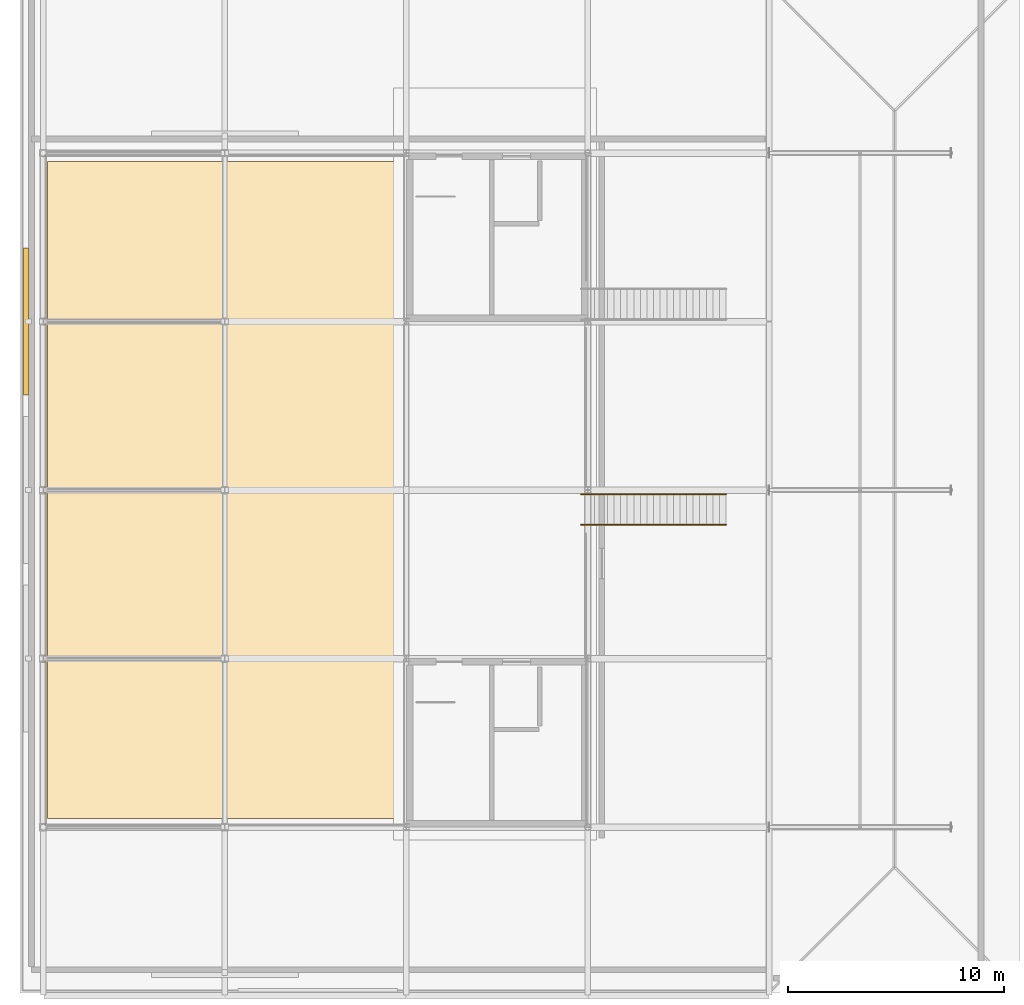
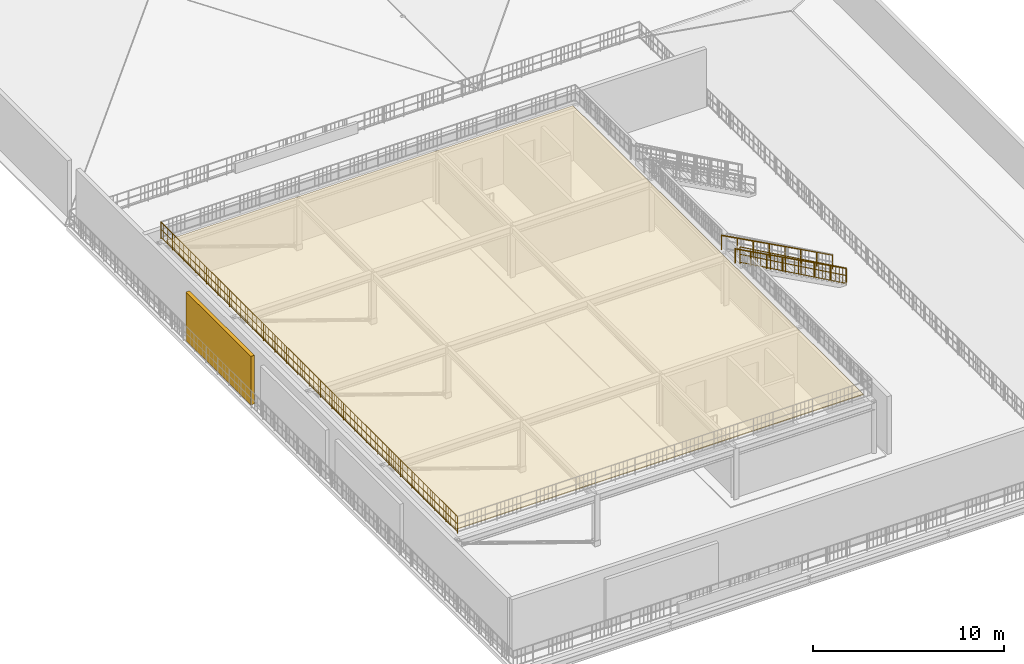
# One storey, part 12 of 16: 4 railings, 1 covering, 1 shading device.
"""IFC4 building model written with IfcOpenShell, lengths in metres."""

from ifc_helpers import new_model, si_unit, direction, frame, origin, origin_2d, place, context, subcontext, project, spatial, polyline, rectangle, circle, outline, extrude, material, layer, layer_set, type_object, element, save


model = new_model("IFC4")

# Units and contexts
model_context = context("Model", 3, precision=1e-05, world=origin(), true_north=direction((0.0, 1.0)))
body_context = subcontext(model_context, "Body", "Model", "MODEL_VIEW")
ifc_project = project(units=[si_unit("LENGTHUNIT", "METRE"), si_unit("AREAUNIT", "SQUARE_METRE"), si_unit("VOLUMEUNIT", "CUBIC_METRE"), si_unit("PLANEANGLEUNIT", "RADIAN"), si_unit("MASSUNIT", "GRAM", prefix="KILO")], contexts=[model_context])

# Site, building, storey
site_placement = place(None, origin())
site = spatial("IfcSite", under=ifc_project, at=site_placement, CompositionType="ELEMENT")
building_placement = place(site_placement, origin())
building = spatial("IfcBuilding", under=site, at=building_placement, Name="Nabrawat Pavilion Hospital", CompositionType="ELEMENT")
storey_placement = place(building_placement, frame((0.0, 0.0, 35.10009765625)))
storey = spatial("IfcBuildingStorey", under=building, at=storey_placement, Name="Roof", CompositionType="ELEMENT", Elevation=35.10009765625)

# Railing
ifc_material_1 = material(Name="Stainless Steel 316", Category="steel")
ifc_layer_1 = layer(ifc_material_1, 0.070068359375, Name="Stainless Steel 316")
ifc_layer_set_1 = layer_set([ifc_layer_1], Name="Stainless Steel 316")
railing_type_1 = type_object("IfcRailingType", Name="Exterior Clinical Terrace Safety Guardrail 1100", PredefinedType="GUARDRAIL", material=ifc_layer_set_1)
railing_1_placement = place(storey_placement, frame((151.280029296875, 46.8798828125, 3.599853515625)))
element("IfcRailing", 1, at=railing_1_placement, inside=storey, type_object=railing_type_1, Name="Rooftop Helipad Deck Safety Perimeter Guardrail West", PredefinedType="GUARDRAIL", context=body_context, shape_type="SweptSolid", body=[
    extrude(circle(Radius=0.02392578125, at=origin_2d()), frame((0.0, 0.0, 1.076171875), z_axis=(0.0, 1.0, 0.0), x_axis=(-1.0, 0.0, 0.0)), (0.0, 0.0, 1.0), 31.0400390625),
    extrude(circle(Radius=0.02392578125, at=origin_2d()), frame((0.0, 0.0, 0.10009765625), z_axis=(0.0, 1.0, 0.0), x_axis=(-1.0, 0.0, 0.0)), (0.0, 0.0, 1.0), 31.0400390625),
    extrude(circle(Radius=0.02392578125, at=origin_2d()), frame((0.0, 0.0, 0.60498046875), z_axis=(0.0, 1.0, 0.0), x_axis=(-1.0, 0.0, 0.0)), (0.0, 0.0, 1.0), 31.0400390625),
    extrude(circle(Radius=0.008056640625, at=origin_2d()), frame((0.0, 0.23876953125, 0.10009765625)), (0.0, 0.0, 1.0), 0.951904296875),
    extrude(circle(Radius=0.008056640625, at=origin_2d()), frame((0.0, 0.4775390625, 0.10009765625)), (0.0, 0.0, 1.0), 0.951904296875),
    extrude(circle(Radius=0.008056640625, at=origin_2d()), frame((0.0, 0.71630859375, 0.10009765625)), (0.0, 0.0, 1.0), 0.951904296875),
    extrude(circle(Radius=0.008056640625, at=origin_2d()), frame((0.0, 0.955078125, 0.10009765625)), (0.0, 0.0, 1.0), 0.951904296875),
    extrude(circle(Radius=0.008056640625, at=origin_2d()), frame((0.0, 1.4326171875, 0.10009765625)), (0.0, 0.0, 1.0), 0.951904296875),
    extrude(circle(Radius=0.008056640625, at=origin_2d()), frame((0.0, 1.67138671875, 0.10009765625)), (0.0, 0.0, 1.0), 0.951904296875),
    extrude(circle(Radius=0.008056640625, at=origin_2d()), frame((0.0, 1.91015625, 0.10009765625)), (0.0, 0.0, 1.0), 0.951904296875),
    extrude(circle(Radius=0.008056640625, at=origin_2d()), frame((0.0, 2.14892578125, 0.10009765625)), (0.0, 0.0, 1.0), 0.951904296875),
    extrude(circle(Radius=0.008056640625, at=origin_2d()), frame((0.0, 2.62646484375, 0.10009765625)), (0.0, 0.0, 1.0), 0.951904296875),
    extrude(circle(Radius=0.008056640625, at=origin_2d()), frame((0.0, 2.865234375, 0.10009765625)), (0.0, 0.0, 1.0), 0.951904296875),
    extrude(circle(Radius=0.008056640625, at=origin_2d()), frame((0.0, 3.10400390625, 0.10009765625)), (0.0, 0.0, 1.0), 0.951904296875),
    extrude(circle(Radius=0.008056640625, at=origin_2d()), frame((0.0, 3.3427734375, 0.10009765625)), (0.0, 0.0, 1.0), 0.951904296875),
    extrude(circle(Radius=0.008056640625, at=origin_2d()), frame((0.0, 3.8203125, 0.10009765625)), (0.0, 0.0, 1.0), 0.951904296875),
    extrude(circle(Radius=0.008056640625, at=origin_2d()), frame((0.0, 4.05908203125, 0.10009765625)), (0.0, 0.0, 1.0), 0.951904296875),
    extrude(circle(Radius=0.008056640625, at=origin_2d()), frame((0.0, 4.2978515625, 0.10009765625)), (0.0, 0.0, 1.0), 0.951904296875),
    extrude(circle(Radius=0.008056640625, at=origin_2d()), frame((0.0, 4.53662109375, 0.10009765625)), (0.0, 0.0, 1.0), 0.951904296875),
    extrude(circle(Radius=0.008056640625, at=origin_2d()), frame((0.0, 5.01416015625, 0.10009765625)), (0.0, 0.0, 1.0), 0.951904296875),
    extrude(circle(Radius=0.008056640625, at=origin_2d()), frame((0.0, 5.2529296875, 0.10009765625)), (0.0, 0.0, 1.0), 0.951904296875),
    extrude(circle(Radius=0.008056640625, at=origin_2d()), frame((0.0, 5.49169921875, 0.10009765625)), (0.0, 0.0, 1.0), 0.951904296875),
    extrude(circle(Radius=0.008056640625, at=origin_2d()), frame((0.0, 5.73046875, 0.10009765625)), (0.0, 0.0, 1.0), 0.951904296875),
    extrude(circle(Radius=0.008056640625, at=origin_2d()), frame((0.0, 6.2080078125, 0.10009765625)), (0.0, 0.0, 1.0), 0.951904296875),
    extrude(circle(Radius=0.008056640625, at=origin_2d()), frame((0.0, 6.44677734375, 0.10009765625)), (0.0, 0.0, 1.0), 0.951904296875),
    extrude(circle(Radius=0.008056640625, at=origin_2d()), frame((0.0, 6.685546875, 0.10009765625)), (0.0, 0.0, 1.0), 0.951904296875),
    extrude(circle(Radius=0.008056640625, at=origin_2d()), frame((0.0, 6.92431640625, 0.10009765625)), (0.0, 0.0, 1.0), 0.951904296875),
    extrude(circle(Radius=0.008056640625, at=origin_2d()), frame((0.0, 7.40185546875, 0.10009765625)), (0.0, 0.0, 1.0), 0.951904296875),
    extrude(circle(Radius=0.008056640625, at=origin_2d()), frame((0.0, 7.640625, 0.10009765625)), (0.0, 0.0, 1.0), 0.951904296875),
    extrude(circle(Radius=0.008056640625, at=origin_2d()), frame((0.0, 7.87939453125, 0.10009765625)), (0.0, 0.0, 1.0), 0.951904296875),
    extrude(circle(Radius=0.008056640625, at=origin_2d()), frame((0.0, 8.1181640625, 0.10009765625)), (0.0, 0.0, 1.0), 0.951904296875),
    extrude(circle(Radius=0.008056640625, at=origin_2d()), frame((0.0, 8.595703125, 0.10009765625)), (0.0, 0.0, 1.0), 0.951904296875),
    extrude(circle(Radius=0.008056640625, at=origin_2d()), frame((0.0, 8.83447265625, 0.10009765625)), (0.0, 0.0, 1.0), 0.951904296875),
    extrude(circle(Radius=0.008056640625, at=origin_2d()), frame((0.0, 9.0732421875, 0.10009765625)), (0.0, 0.0, 1.0), 0.951904296875),
    extrude(circle(Radius=0.008056640625, at=origin_2d()), frame((0.0, 9.31201171875, 0.10009765625)), (0.0, 0.0, 1.0), 0.951904296875),
    extrude(circle(Radius=0.008056640625, at=origin_2d()), frame((0.0, 9.78955078125, 0.10009765625)), (0.0, 0.0, 1.0), 0.951904296875),
    extrude(circle(Radius=0.008056640625, at=origin_2d()), frame((0.0, 10.0283203125, 0.10009765625)), (0.0, 0.0, 1.0), 0.951904296875),
    extrude(circle(Radius=0.008056640625, at=origin_2d()), frame((0.0, 10.26708984375, 0.10009765625)), (0.0, 0.0, 1.0), 0.951904296875),
    extrude(circle(Radius=0.008056640625, at=origin_2d()), frame((0.0, 10.505859375, 0.10009765625)), (0.0, 0.0, 1.0), 0.951904296875),
    extrude(circle(Radius=0.008056640625, at=origin_2d()), frame((0.0, 10.9833984375, 0.10009765625)), (0.0, 0.0, 1.0), 0.951904296875),
    extrude(circle(Radius=0.008056640625, at=origin_2d()), frame((0.0, 11.22216796875, 0.10009765625)), (0.0, 0.0, 1.0), 0.951904296875),
    extrude(circle(Radius=0.008056640625, at=origin_2d()), frame((0.0, 11.4609375, 0.10009765625)), (0.0, 0.0, 1.0), 0.951904296875),
    extrude(circle(Radius=0.008056640625, at=origin_2d()), frame((0.0, 11.69970703125, 0.10009765625)), (0.0, 0.0, 1.0), 0.951904296875),
    extrude(circle(Radius=0.008056640625, at=origin_2d()), frame((0.0, 12.17724609375, 0.10009765625)), (0.0, 0.0, 1.0), 0.951904296875),
    extrude(circle(Radius=0.008056640625, at=origin_2d()), frame((0.0, 12.416015625, 0.10009765625)), (0.0, 0.0, 1.0), 0.951904296875),
    extrude(circle(Radius=0.008056640625, at=origin_2d()), frame((0.0, 12.65478515625, 0.10009765625)), (0.0, 0.0, 1.0), 0.951904296875),
    extrude(circle(Radius=0.008056640625, at=origin_2d()), frame((0.0, 12.8935546875, 0.10009765625)), (0.0, 0.0, 1.0), 0.951904296875),
    extrude(circle(Radius=0.008056640625, at=origin_2d()), frame((0.0, 13.37109375, 0.10009765625)), (0.0, 0.0, 1.0), 0.951904296875),
    extrude(circle(Radius=0.008056640625, at=origin_2d()), frame((0.0, 13.60986328125, 0.10009765625)), (0.0, 0.0, 1.0), 0.951904296875),
    extrude(circle(Radius=0.008056640625, at=origin_2d()), frame((0.0, 13.8486328125, 0.10009765625)), (0.0, 0.0, 1.0), 0.951904296875),
    extrude(circle(Radius=0.008056640625, at=origin_2d()), frame((0.0, 14.08740234375, 0.10009765625)), (0.0, 0.0, 1.0), 0.951904296875),
    extrude(circle(Radius=0.008056640625, at=origin_2d()), frame((0.0, 14.56494140625, 0.10009765625)), (0.0, 0.0, 1.0), 0.951904296875),
    extrude(circle(Radius=0.008056640625, at=origin_2d()), frame((0.0, 14.8037109375, 0.10009765625)), (0.0, 0.0, 1.0), 0.951904296875),
    extrude(circle(Radius=0.008056640625, at=origin_2d()), frame((0.0, 15.04248046875, 0.10009765625)), (0.0, 0.0, 1.0), 0.951904296875),
    extrude(circle(Radius=0.008056640625, at=origin_2d()), frame((0.0, 15.28125, 0.10009765625)), (0.0, 0.0, 1.0), 0.951904296875),
    extrude(circle(Radius=0.008056640625, at=origin_2d()), frame((0.0, 15.7587890625, 0.10009765625)), (0.0, 0.0, 1.0), 0.951904296875),
    extrude(circle(Radius=0.008056640625, at=origin_2d()), frame((0.0, 15.99755859375, 0.10009765625)), (0.0, 0.0, 1.0), 0.951904296875),
    extrude(circle(Radius=0.008056640625, at=origin_2d()), frame((0.0, 16.236328125, 0.10009765625)), (0.0, 0.0, 1.0), 0.951904296875),
    extrude(circle(Radius=0.008056640625, at=origin_2d()), frame((0.0, 16.47509765625, 0.10009765625)), (0.0, 0.0, 1.0), 0.951904296875),
    extrude(circle(Radius=0.008056640625, at=origin_2d()), frame((0.0, 16.95263671875, 0.10009765625)), (0.0, 0.0, 1.0), 0.951904296875),
    extrude(circle(Radius=0.008056640625, at=origin_2d()), frame((0.0, 17.19140625, 0.10009765625)), (0.0, 0.0, 1.0), 0.951904296875),
    extrude(circle(Radius=0.008056640625, at=origin_2d()), frame((0.0, 17.43017578125, 0.10009765625)), (0.0, 0.0, 1.0), 0.951904296875),
    extrude(circle(Radius=0.008056640625, at=origin_2d()), frame((0.0, 17.6689453125, 0.10009765625)), (0.0, 0.0, 1.0), 0.951904296875),
    extrude(circle(Radius=0.008056640625, at=origin_2d()), frame((0.0, 18.146484375, 0.10009765625)), (0.0, 0.0, 1.0), 0.951904296875),
    extrude(circle(Radius=0.008056640625, at=origin_2d()), frame((0.0, 18.38525390625, 0.10009765625)), (0.0, 0.0, 1.0), 0.951904296875),
    extrude(circle(Radius=0.008056640625, at=origin_2d()), frame((0.0, 18.6240234375, 0.10009765625)), (0.0, 0.0, 1.0), 0.951904296875),
    extrude(circle(Radius=0.008056640625, at=origin_2d()), frame((0.0, 18.86279296875, 0.10009765625)), (0.0, 0.0, 1.0), 0.951904296875),
    extrude(circle(Radius=0.008056640625, at=origin_2d()), frame((0.0, 19.34033203125, 0.10009765625)), (0.0, 0.0, 1.0), 0.951904296875),
    extrude(circle(Radius=0.008056640625, at=origin_2d()), frame((0.0, 19.5791015625, 0.10009765625)), (0.0, 0.0, 1.0), 0.951904296875),
    extrude(circle(Radius=0.008056640625, at=origin_2d()), frame((0.0, 19.81787109375, 0.10009765625)), (0.0, 0.0, 1.0), 0.951904296875),
    extrude(circle(Radius=0.008056640625, at=origin_2d()), frame((0.0, 20.056640625, 0.10009765625)), (0.0, 0.0, 1.0), 0.951904296875),
    extrude(circle(Radius=0.008056640625, at=origin_2d()), frame((0.0, 20.5341796875, 0.10009765625)), (0.0, 0.0, 1.0), 0.951904296875),
    extrude(circle(Radius=0.008056640625, at=origin_2d()), frame((0.0, 20.77294921875, 0.10009765625)), (0.0, 0.0, 1.0), 0.951904296875),
    extrude(circle(Radius=0.008056640625, at=origin_2d()), frame((0.0, 21.01171875, 0.10009765625)), (0.0, 0.0, 1.0), 0.951904296875),
    extrude(circle(Radius=0.008056640625, at=origin_2d()), frame((0.0, 21.25048828125, 0.10009765625)), (0.0, 0.0, 1.0), 0.951904296875),
    extrude(circle(Radius=0.008056640625, at=origin_2d()), frame((0.0, 21.72802734375, 0.10009765625)), (0.0, 0.0, 1.0), 0.951904296875),
    extrude(circle(Radius=0.008056640625, at=origin_2d()), frame((0.0, 21.966796875, 0.10009765625)), (0.0, 0.0, 1.0), 0.951904296875),
    extrude(circle(Radius=0.008056640625, at=origin_2d()), frame((0.0, 22.20556640625, 0.10009765625)), (0.0, 0.0, 1.0), 0.951904296875),
    extrude(circle(Radius=0.008056640625, at=origin_2d()), frame((0.0, 22.4443359375, 0.10009765625)), (0.0, 0.0, 1.0), 0.951904296875),
    extrude(circle(Radius=0.008056640625, at=origin_2d()), frame((0.0, 22.921875, 0.10009765625)), (0.0, 0.0, 1.0), 0.951904296875),
    extrude(circle(Radius=0.008056640625, at=origin_2d()), frame((0.0, 23.16064453125, 0.10009765625)), (0.0, 0.0, 1.0), 0.951904296875),
    extrude(circle(Radius=0.008056640625, at=origin_2d()), frame((0.0, 23.3994140625, 0.10009765625)), (0.0, 0.0, 1.0), 0.951904296875),
    extrude(circle(Radius=0.008056640625, at=origin_2d()), frame((0.0, 23.63818359375, 0.10009765625)), (0.0, 0.0, 1.0), 0.951904296875),
    extrude(circle(Radius=0.008056640625, at=origin_2d()), frame((0.0, 24.11572265625, 0.10009765625)), (0.0, 0.0, 1.0), 0.951904296875),
    extrude(circle(Radius=0.008056640625, at=origin_2d()), frame((0.0, 24.3544921875, 0.10009765625)), (0.0, 0.0, 1.0), 0.951904296875),
    extrude(circle(Radius=0.008056640625, at=origin_2d()), frame((0.0, 24.59326171875, 0.10009765625)), (0.0, 0.0, 1.0), 0.951904296875),
    extrude(circle(Radius=0.008056640625, at=origin_2d()), frame((0.0, 24.83203125, 0.10009765625)), (0.0, 0.0, 1.0), 0.951904296875),
    extrude(circle(Radius=0.008056640625, at=origin_2d()), frame((0.0, 25.3095703125, 0.10009765625)), (0.0, 0.0, 1.0), 0.951904296875),
    extrude(circle(Radius=0.008056640625, at=origin_2d()), frame((0.0, 25.54833984375, 0.10009765625)), (0.0, 0.0, 1.0), 0.951904296875),
    extrude(circle(Radius=0.008056640625, at=origin_2d()), frame((0.0, 25.787109375, 0.10009765625)), (0.0, 0.0, 1.0), 0.951904296875),
    extrude(circle(Radius=0.008056640625, at=origin_2d()), frame((0.0, 26.02587890625, 0.10009765625)), (0.0, 0.0, 1.0), 0.951904296875),
    extrude(circle(Radius=0.008056640625, at=origin_2d()), frame((0.0, 26.50341796875, 0.10009765625)), (0.0, 0.0, 1.0), 0.951904296875),
    extrude(circle(Radius=0.008056640625, at=origin_2d()), frame((0.0, 26.7421875, 0.10009765625)), (0.0, 0.0, 1.0), 0.951904296875),
    extrude(circle(Radius=0.008056640625, at=origin_2d()), frame((0.0, 26.98095703125, 0.10009765625)), (0.0, 0.0, 1.0), 0.951904296875),
    extrude(circle(Radius=0.008056640625, at=origin_2d()), frame((0.0, 27.2197265625, 0.10009765625)), (0.0, 0.0, 1.0), 0.951904296875),
    extrude(circle(Radius=0.008056640625, at=origin_2d()), frame((0.0, 27.697265625, 0.10009765625)), (0.0, 0.0, 1.0), 0.951904296875),
    extrude(circle(Radius=0.008056640625, at=origin_2d()), frame((0.0, 27.93603515625, 0.10009765625)), (0.0, 0.0, 1.0), 0.951904296875),
    extrude(circle(Radius=0.008056640625, at=origin_2d()), frame((0.0, 28.1748046875, 0.10009765625)), (0.0, 0.0, 1.0), 0.951904296875),
    extrude(circle(Radius=0.008056640625, at=origin_2d()), frame((0.0, 28.41357421875, 0.10009765625)), (0.0, 0.0, 1.0), 0.951904296875),
    extrude(circle(Radius=0.008056640625, at=origin_2d()), frame((0.0, 28.89111328125, 0.10009765625)), (0.0, 0.0, 1.0), 0.951904296875),
    extrude(circle(Radius=0.008056640625, at=origin_2d()), frame((0.0, 29.1298828125, 0.10009765625)), (0.0, 0.0, 1.0), 0.951904296875),
    extrude(circle(Radius=0.008056640625, at=origin_2d()), frame((0.0, 29.36865234375, 0.10009765625)), (0.0, 0.0, 1.0), 0.951904296875),
    extrude(circle(Radius=0.008056640625, at=origin_2d()), frame((0.0, 29.607421875, 0.10009765625)), (0.0, 0.0, 1.0), 0.951904296875),
    extrude(circle(Radius=0.008056640625, at=origin_2d()), frame((0.0, 30.0849609375, 0.10009765625)), (0.0, 0.0, 1.0), 0.951904296875),
    extrude(circle(Radius=0.008056640625, at=origin_2d()), frame((0.0, 30.32373046875, 0.10009765625)), (0.0, 0.0, 1.0), 0.951904296875),
    extrude(circle(Radius=0.008056640625, at=origin_2d()), frame((0.0, 30.5625, 0.10009765625)), (0.0, 0.0, 1.0), 0.951904296875),
    extrude(circle(Radius=0.008056640625, at=origin_2d()), frame((0.0, 30.80126953125, 0.10009765625)), (0.0, 0.0, 1.0), 0.951904296875),
    extrude(circle(Radius=0.02099609375, at=origin_2d()), origin(), (0.0, 0.0, 1.0), 1.052001953125),
    extrude(circle(Radius=0.02099609375, at=origin_2d()), frame((0.0, 1.19384765625, 0.0)), (0.0, 0.0, 1.0), 1.052001953125),
    extrude(circle(Radius=0.02099609375, at=origin_2d()), frame((0.0, 2.3876953125, 0.0)), (0.0, 0.0, 1.0), 1.052001953125),
    extrude(circle(Radius=0.02099609375, at=origin_2d()), frame((0.0, 3.58154296875, 0.0)), (0.0, 0.0, 1.0), 1.052001953125),
    extrude(circle(Radius=0.02099609375, at=origin_2d()), frame((0.0, 4.775390625, 0.0)), (0.0, 0.0, 1.0), 1.052001953125),
    extrude(circle(Radius=0.02099609375, at=origin_2d()), frame((0.0, 5.96923828125, 0.0)), (0.0, 0.0, 1.0), 1.052001953125),
    extrude(circle(Radius=0.02099609375, at=origin_2d()), frame((0.0, 7.1630859375, 0.0)), (0.0, 0.0, 1.0), 1.052001953125),
    extrude(circle(Radius=0.02099609375, at=origin_2d()), frame((0.0, 8.35693359375, 0.0)), (0.0, 0.0, 1.0), 1.052001953125),
    extrude(circle(Radius=0.02099609375, at=origin_2d()), frame((0.0, 9.55078125, 0.0)), (0.0, 0.0, 1.0), 1.052001953125),
    extrude(circle(Radius=0.02099609375, at=origin_2d()), frame((0.0, 10.74462890625, 0.0)), (0.0, 0.0, 1.0), 1.052001953125),
    extrude(circle(Radius=0.02099609375, at=origin_2d()), frame((0.0, 11.9384765625, 0.0)), (0.0, 0.0, 1.0), 1.052001953125),
    extrude(circle(Radius=0.02099609375, at=origin_2d()), frame((0.0, 13.13232421875, 0.0)), (0.0, 0.0, 1.0), 1.052001953125),
    extrude(circle(Radius=0.02099609375, at=origin_2d()), frame((0.0, 14.326171875, 0.0)), (0.0, 0.0, 1.0), 1.052001953125),
    extrude(circle(Radius=0.02099609375, at=origin_2d()), frame((0.0, 15.52001953125, 0.0)), (0.0, 0.0, 1.0), 1.052001953125),
    extrude(circle(Radius=0.02099609375, at=origin_2d()), frame((0.0, 16.7138671875, 0.0)), (0.0, 0.0, 1.0), 1.052001953125),
    extrude(circle(Radius=0.02099609375, at=origin_2d()), frame((0.0, 17.90771484375, 0.0)), (0.0, 0.0, 1.0), 1.052001953125),
    extrude(circle(Radius=0.02099609375, at=origin_2d()), frame((0.0, 19.1015625, 0.0)), (0.0, 0.0, 1.0), 1.052001953125),
    extrude(circle(Radius=0.02099609375, at=origin_2d()), frame((0.0, 20.29541015625, 0.0)), (0.0, 0.0, 1.0), 1.052001953125),
    extrude(circle(Radius=0.02099609375, at=origin_2d()), frame((0.0, 21.4892578125, 0.0)), (0.0, 0.0, 1.0), 1.052001953125),
    extrude(circle(Radius=0.02099609375, at=origin_2d()), frame((0.0, 22.68310546875, 0.0)), (0.0, 0.0, 1.0), 1.052001953125),
    extrude(circle(Radius=0.02099609375, at=origin_2d()), frame((0.0, 23.876953125, 0.0)), (0.0, 0.0, 1.0), 1.052001953125),
    extrude(circle(Radius=0.02099609375, at=origin_2d()), frame((0.0, 25.07080078125, 0.0)), (0.0, 0.0, 1.0), 1.052001953125),
    extrude(circle(Radius=0.02099609375, at=origin_2d()), frame((0.0, 26.2646484375, 0.0)), (0.0, 0.0, 1.0), 1.052001953125),
    extrude(circle(Radius=0.02099609375, at=origin_2d()), frame((0.0, 27.45849609375, 0.0)), (0.0, 0.0, 1.0), 1.052001953125),
    extrude(circle(Radius=0.02099609375, at=origin_2d()), frame((0.0, 28.65234375, 0.0)), (0.0, 0.0, 1.0), 1.052001953125),
    extrude(circle(Radius=0.02099609375, at=origin_2d()), frame((0.0, 29.84619140625, 0.0)), (0.0, 0.0, 1.0), 1.052001953125),
    extrude(circle(Radius=0.02099609375, at=origin_2d()), frame((0.0, 31.0400390625, 0.0)), (0.0, 0.0, 1.0), 1.052001953125),
])

# Shading device
ifc_material_2 = material(Name="Anodised Aluminium", Category="aluminium")
ifc_layer_2 = layer(ifc_material_2, 3.10009765625, Name="Anodised Aluminium")
ifc_layer_set_2 = layer_set([ifc_layer_2], Name="Anodised Aluminium")
shading_device_type = type_object("IfcShadingDeviceType", Name="Helipad Crown Acoustic Mechanical Louver Screen", PredefinedType="JALOUSIE", material=ifc_layer_set_2)
shading_device_placement = place(storey_placement, frame((150.39990234375, 70.199951171875, 0.06982421875), z_axis=(0.0, 0.0, 1.0), x_axis=(0.0, 1.0, 0.0)))
element("IfcShadingDevice", 2, at=shading_device_placement, inside=storey, type_object=shading_device_type, Name="Roof Helipad Undercroft Acoustic Louver Screen 03", PredefinedType="JALOUSIE", context=body_context, shape_type="SweptSolid", body=[
    extrude(rectangle(XDim=6.800048828125, YDim=0.219970703125, at=origin_2d()), origin(), (0.0, 0.0, 1.0), 3.10009765625),
])

# Covering
ifc_material_3 = material(Name="Standing-Seam Anodised Aluminium", Category="aluminium")
ifc_layer_3 = layer(ifc_material_3, 0.050048828125, Name="Standing-Seam Anodised Aluminium")
ifc_layer_set_3 = layer_set([ifc_layer_3], Name="Standing-Seam Anodised Aluminium")
covering_type = type_object("IfcCoveringType", Name="Helipad Non-Slip Aviation Deck Flooring", PredefinedType="FLOORING", material=ifc_layer_set_3)
covering_placement = place(storey_placement, frame((0.0, 0.0, 3.599853515625)))
element("IfcCovering", 3, at=covering_placement, inside=storey, type_object=covering_type, Name="Helipad Non-Slip Aviation Deck Coating", PredefinedType="FLOORING", context=body_context, shape_type="SweptSolid", body=[
    extrude(outline(polyline([(176.0, 47.199951171875), (176.0, 77.60009765625), (151.39990234375, 77.60009765625), (151.39990234375, 47.199951171875), (176.0, 47.199951171875)])), origin(), (0.0, 0.0, 1.0), 0.050048828125),
])

# Railings
ifc_layer_4 = layer(ifc_material_1, 0.050048828125, Name="Stainless Steel 316")
ifc_layer_set_4 = layer_set([ifc_layer_4], Name="Stainless Steel 316")
railing_type_2 = type_object("IfcRailingType", Name="Stair Open-Well Safety Guardrail 1100", PredefinedType="GUARDRAIL", material=ifc_layer_set_4)
railing_2_placement = place(storey_placement, frame((182.800048828125, 60.7900390625, 0.0)))
element("IfcRailing", 4, at=railing_2_placement, inside=storey, type_object=railing_type_2, Name="Roof Helipad Primary South Access Stair Open-Edge Guardrail L", PredefinedType="GUARDRAIL", context=body_context, shape_type="SweptSolid", body=[
    extrude(circle(Radius=0.02392578125, at=origin_2d()), frame((0.0, 0.0, 1.076171875), z_axis=(-0.871748527163, 0.0, 0.489953574729), x_axis=(0.0, -1.0, 0.0)), (0.0, 0.0, 1.0), 7.347412109375),
    extrude(circle(Radius=0.02392578125, at=origin_2d()), frame((0.0, 0.0, 0.10009765625), z_axis=(-0.871748527163, 0.0, 0.489953574729), x_axis=(0.0, -1.0, 0.0)), (0.0, 0.0, 1.0), 7.347412109375),
    extrude(circle(Radius=0.02392578125, at=origin_2d()), frame((0.0, 0.0, 0.60498046875), z_axis=(-0.871748527163, 0.0, 0.489953574729), x_axis=(0.0, -1.0, 0.0)), (0.0, 0.0, 1.0), 7.347412109375),
    extrude(circle(Radius=0.008056640625, at=origin_2d()), frame((-0.20654296875, 0.0, 0.216064453125)), (0.0, 0.0, 1.0), 0.951904296875),
    extrude(circle(Radius=0.008056640625, at=origin_2d()), frame((-0.413330078125, 0.0, 0.332275390625)), (0.0, 0.0, 1.0), 0.951904296875),
    extrude(circle(Radius=0.008056640625, at=origin_2d()), frame((-0.619873046875, 0.0, 0.448486328125)), (0.0, 0.0, 1.0), 0.951904296875),
    extrude(circle(Radius=0.008056640625, at=origin_2d()), frame((-0.826416015625, 0.0, 0.564453125)), (0.0, 0.0, 1.0), 0.951904296875),
    extrude(circle(Radius=0.008056640625, at=origin_2d()), frame((-1.032958984375, 0.0, 0.6806640625)), (0.0, 0.0, 1.0), 0.951904296875),
    extrude(circle(Radius=0.008056640625, at=origin_2d()), frame((-1.23974609375, 0.0, 0.796630859375)), (0.0, 0.0, 1.0), 0.951904296875),
    extrude(circle(Radius=0.008056640625, at=origin_2d()), frame((-1.4462890625, 0.0, 0.912841796875)), (0.0, 0.0, 1.0), 0.951904296875),
    extrude(circle(Radius=0.008056640625, at=origin_2d()), frame((-1.65283203125, 0.0, 1.029052734375)), (0.0, 0.0, 1.0), 0.951904296875),
    extrude(circle(Radius=0.008056640625, at=origin_2d()), frame((-2.066162109375, 0.0, 1.26123046875)), (0.0, 0.0, 1.0), 0.951904296875),
    extrude(circle(Radius=0.008056640625, at=origin_2d()), frame((-2.272705078125, 0.0, 1.37744140625)), (0.0, 0.0, 1.0), 0.951904296875),
    extrude(circle(Radius=0.008056640625, at=origin_2d()), frame((-2.479248046875, 0.0, 1.493408203125)), (0.0, 0.0, 1.0), 0.951904296875),
    extrude(circle(Radius=0.008056640625, at=origin_2d()), frame((-2.68603515625, 0.0, 1.609619140625)), (0.0, 0.0, 1.0), 0.951904296875),
    extrude(circle(Radius=0.008056640625, at=origin_2d()), frame((-2.892578125, 0.0, 1.725830078125)), (0.0, 0.0, 1.0), 0.951904296875),
    extrude(circle(Radius=0.008056640625, at=origin_2d()), frame((-3.09912109375, 0.0, 1.841796875)), (0.0, 0.0, 1.0), 0.951904296875),
    extrude(circle(Radius=0.008056640625, at=origin_2d()), frame((-3.305908203125, 0.0, 1.9580078125)), (0.0, 0.0, 1.0), 0.951904296875),
    extrude(circle(Radius=0.008056640625, at=origin_2d()), frame((-3.512451171875, 0.0, 2.07421875)), (0.0, 0.0, 1.0), 0.951904296875),
    extrude(circle(Radius=0.008056640625, at=origin_2d()), frame((-3.718994140625, 0.0, 2.190185546875)), (0.0, 0.0, 1.0), 0.951904296875),
    extrude(circle(Radius=0.008056640625, at=origin_2d()), frame((-3.92578125, 0.0, 2.306396484375)), (0.0, 0.0, 1.0), 0.951904296875),
    extrude(circle(Radius=0.008056640625, at=origin_2d()), frame((-4.13232421875, 0.0, 2.422607421875)), (0.0, 0.0, 1.0), 0.951904296875),
    extrude(circle(Radius=0.008056640625, at=origin_2d()), frame((-4.3388671875, 0.0, 2.53857421875)), (0.0, 0.0, 1.0), 0.951904296875),
    extrude(circle(Radius=0.008056640625, at=origin_2d()), frame((-4.752197265625, 0.0, 2.770751953125)), (0.0, 0.0, 1.0), 0.951904296875),
    extrude(circle(Radius=0.008056640625, at=origin_2d()), frame((-4.958740234375, 0.0, 2.886962890625)), (0.0, 0.0, 1.0), 0.951904296875),
    extrude(circle(Radius=0.008056640625, at=origin_2d()), frame((-5.165283203125, 0.0, 3.003173828125)), (0.0, 0.0, 1.0), 0.951904296875),
    extrude(circle(Radius=0.008056640625, at=origin_2d()), frame((-5.3720703125, 0.0, 3.119140625)), (0.0, 0.0, 1.0), 0.951904296875),
    extrude(circle(Radius=0.008056640625, at=origin_2d()), frame((-5.57861328125, 0.0, 3.2353515625)), (0.0, 0.0, 1.0), 0.951904296875),
    extrude(circle(Radius=0.008056640625, at=origin_2d()), frame((-5.78515625, 0.0, 3.3515625)), (0.0, 0.0, 1.0), 0.951904296875),
    extrude(circle(Radius=0.008056640625, at=origin_2d()), frame((-5.99169921875, 0.0, 3.467529296875)), (0.0, 0.0, 1.0), 0.951904296875),
    extrude(circle(Radius=0.008056640625, at=origin_2d()), frame((-6.198486328125, 0.0, 3.583740234375)), (0.0, 0.0, 1.0), 0.951904296875),
    extrude(circle(Radius=0.02099609375, at=origin_2d()), origin(), (0.0, 0.0, 1.0), 1.052001953125),
    extrude(circle(Radius=0.02099609375, at=origin_2d()), frame((-0.9150390625, 0.0, 0.51416015625)), (0.0, 0.0, 1.0), 1.052001953125),
    extrude(circle(Radius=0.02099609375, at=origin_2d()), frame((-1.830078125, 0.0, 1.028564453125)), (0.0, 0.0, 1.0), 1.052001953125),
    extrude(circle(Radius=0.02099609375, at=origin_2d()), frame((-2.7451171875, 0.0, 1.542724609375)), (0.0, 0.0, 1.0), 1.052001953125),
    extrude(circle(Radius=0.02099609375, at=origin_2d()), frame((-3.659912109375, 0.0, 2.05712890625)), (0.0, 0.0, 1.0), 1.052001953125),
    extrude(circle(Radius=0.02099609375, at=origin_2d()), frame((-4.574951171875, 0.0, 2.5712890625)), (0.0, 0.0, 1.0), 1.052001953125),
    extrude(circle(Radius=0.02099609375, at=origin_2d()), frame((-5.489990234375, 0.0, 3.085693359375)), (0.0, 0.0, 1.0), 1.052001953125),
    extrude(circle(Radius=0.02099609375, at=origin_2d()), frame((-6.405029296875, 0.0, 3.599853515625)), (0.0, 0.0, 1.0), 1.052001953125),
])
ifc_layer_5 = layer(ifc_material_1, 0.044921875, Name="Stainless Steel 316")
ifc_layer_set_5 = layer_set([ifc_layer_5], Name="Stainless Steel 316")
railing_type_3 = type_object("IfcRailingType", Name="Stair Pitch Continuous Handrail 920", PredefinedType="HANDRAIL", material=ifc_layer_set_5)
for number, where, name in (
    (5, (182.800048828125, 60.7900390625, 0.16650390625), "Roof Helipad Primary South Access Stair Handrail L"),
    (6, (182.800048828125, 62.2099609375, 0.16650390625), "Roof Helipad Primary South Access Stair Handrail R"),
):
    element("IfcRailing", number, at=place(storey_placement, frame(where)), inside=storey, type_object=railing_type_3, Name=name, PredefinedType="HANDRAIL", context=body_context, shape_type="SweptSolid", body=[
        extrude(circle(Radius=0.02392578125, at=origin_2d()), frame((0.0, 0.0, 0.89599609375), z_axis=(-0.881193823646, 0.0, 0.472755164083), x_axis=(0.0, -1.0, 0.0)), (0.0, 0.0, 1.0), 7.61474609375),
        extrude(circle(Radius=0.02099609375, at=origin_2d()), origin(), (0.0, 0.0, 1.0), 0.871826171875),
        extrude(circle(Radius=0.02099609375, at=origin_2d()), frame((-0.95849609375, 0.0, 0.51416015625)), (0.0, 0.0, 1.0), 0.871826171875),
        extrude(circle(Radius=0.02099609375, at=origin_2d()), frame((-1.917236328125, 0.0, 1.028564453125)), (0.0, 0.0, 1.0), 0.871826171875),
        extrude(circle(Radius=0.02099609375, at=origin_2d()), frame((-2.875732421875, 0.0, 1.542724609375)), (0.0, 0.0, 1.0), 0.871826171875),
        extrude(circle(Radius=0.02099609375, at=origin_2d()), frame((-3.834228515625, 0.0, 2.05712890625)), (0.0, 0.0, 1.0), 0.871826171875),
        extrude(circle(Radius=0.02099609375, at=origin_2d()), frame((-4.792724609375, 0.0, 2.5712890625)), (0.0, 0.0, 1.0), 0.871826171875),
        extrude(circle(Radius=0.02099609375, at=origin_2d()), frame((-5.75146484375, 0.0, 3.085693359375)), (0.0, 0.0, 1.0), 0.871826171875),
        extrude(circle(Radius=0.02099609375, at=origin_2d()), frame((-6.7099609375, 0.0, 3.599853515625)), (0.0, 0.0, 1.0), 0.871826171875),
    ])

save(model, "model.ifc")
